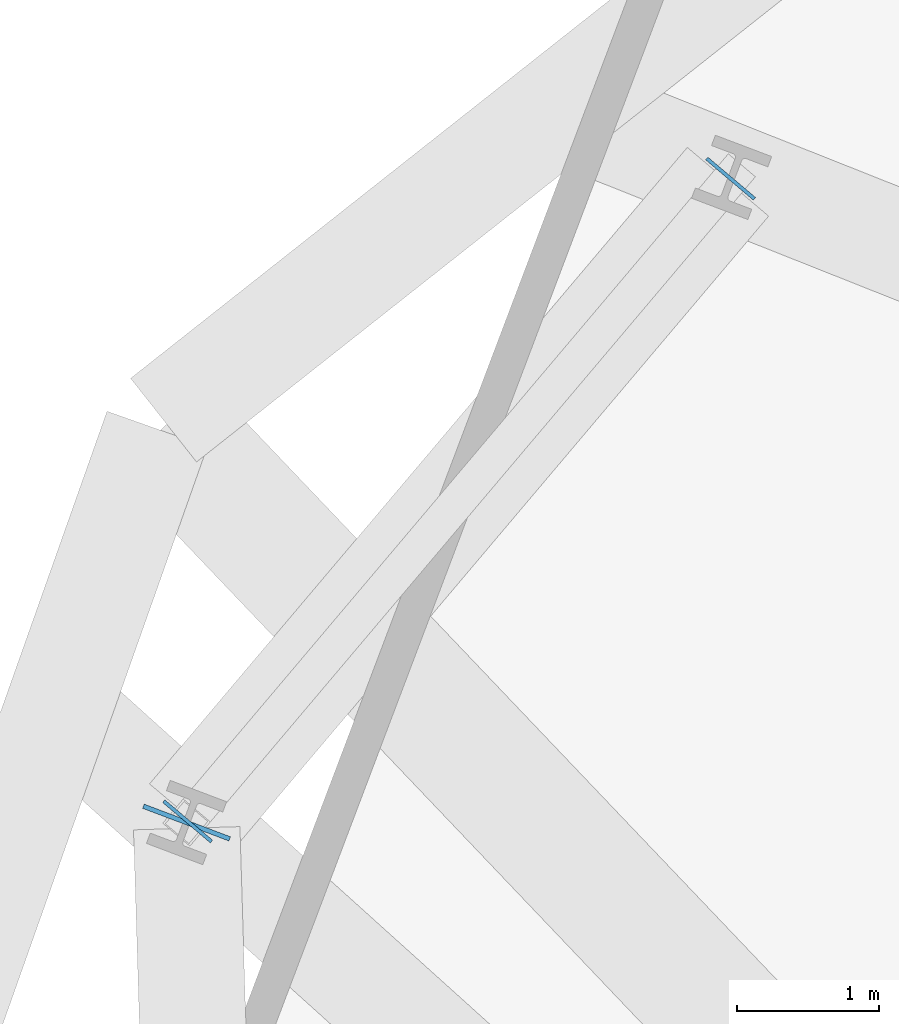
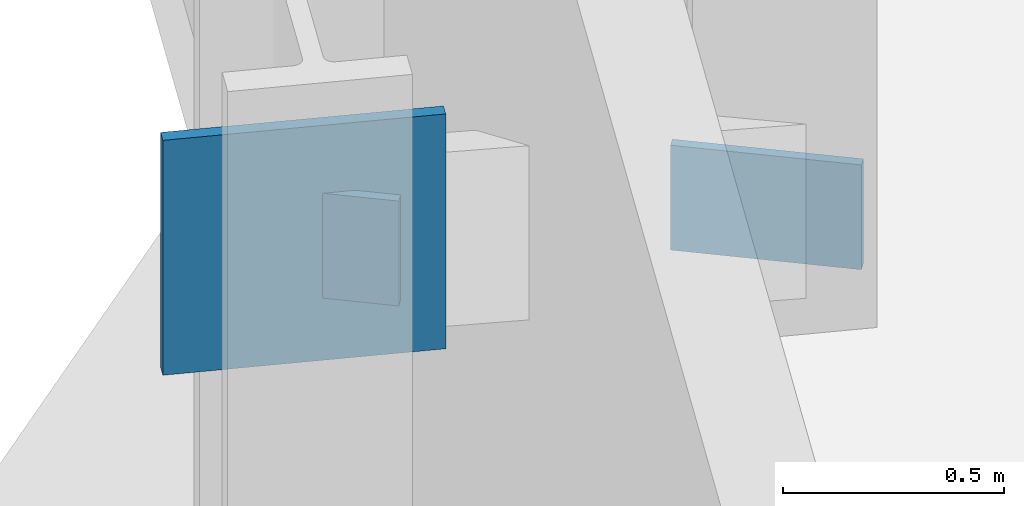
# One storey, part 4 of 11: 3 plates.
"""IFC4 building model written with IfcOpenShell, lengths in metres."""

from ifc_helpers import new_model, si_unit, direction, frame, origin, origin_2d, place, context, subcontext, project, spatial, rectangle, extrude, source, transform, mapped, material, layer, layer_set, type_object, element, save


model = new_model("IFC4")

# Units and contexts
model_context = context("Model", 3, precision=1e-05, world=origin(), true_north=direction((0.0, 1.0)))
body_context = subcontext(model_context, "Body", "Model", "MODEL_VIEW")
ifc_project = project(units=[si_unit("LENGTHUNIT", "METRE"), si_unit("AREAUNIT", "SQUARE_METRE"), si_unit("VOLUMEUNIT", "CUBIC_METRE"), si_unit("PLANEANGLEUNIT", "RADIAN"), si_unit("MASSUNIT", "GRAM", prefix="KILO")], contexts=[model_context])

# Site, building, storey
site_placement = place(None, origin())
site = spatial("IfcSite", under=ifc_project, at=site_placement, CompositionType="ELEMENT")
building_placement = place(site_placement, origin())
building = spatial("IfcBuilding", under=site, at=building_placement, Name="Varnelok Gate Tower", CompositionType="ELEMENT")
storey_placement = place(building_placement, frame((0.0, 0.0, 71.39990234375)))
storey = spatial("IfcBuildingStorey", under=building, at=storey_placement, Name="L17", CompositionType="ELEMENT", Elevation=71.39990234375)

# Plates
ifc_material = material(Name="Structural Steel ASTM A572 Grade 50", Category="steel")
ifc_layer_1 = layer(ifc_material, 0.02490234375)
ifc_layer_set_1 = layer_set([ifc_layer_1], Name="Structural Steel ASTM A572 Grade 50")
plate_type_1 = type_object("IfcPlateType", Name="PLT-ENDCAP-25", PredefinedType="SHEET", material=ifc_layer_set_1)
shared_shape_1 = source(origin(), body_context, "Body", "SweptSolid", [
    extrude(rectangle(XDim=0.02490234375, YDim=0.43994140625, at=origin_2d()), origin(), (0.0, 0.0, 1.0), 0.2900390625),
])
for number, where, z_axis, x_axis, name in (
    (1, (10.755859375, 46.963623046875, 0.062744140625), (0.0, 0.0, 1.0), (-0.645377699652, -0.763863616618, 0.0), "L17 hollow member sealed end plate 1"),
    (2, (6.930908203125, 42.43603515625, 4.04736328125), (0.0, 0.0, 1.0), (-0.645377699652, -0.763863616618, 0.0), "L17 hollow member sealed end plate 2"),
):
    element("IfcPlate", number, at=place(storey_placement, frame(where, z_axis=z_axis, x_axis=x_axis)), inside=storey, type_object=plate_type_1, Name=name, PredefinedType="SHEET", context=body_context, shape_type="MappedRepresentation", body=[
        mapped(shared_shape_1, transform((0.0, 0.0, 0.0), scale=1.0)),
    ])
ifc_layer_2 = layer(ifc_material, 0.031982421875)
ifc_layer_set_2 = layer_set([ifc_layer_2], Name="Structural Steel ASTM A572 Grade 50")
plate_type_2 = type_object("IfcPlateType", Name="PLT-GUSSET-32", PredefinedType="USERDEFINED", material=ifc_layer_set_2)
shared_shape_2 = source(origin(), body_context, "Body", "SweptSolid", [
    extrude(rectangle(XDim=0.64990234375, YDim=0.031982421875, at=origin_2d()), origin(), (0.0, 0.0, 1.0), 0.64990234375),
])
plate_placement = place(storey_placement, frame((6.92333984375, 42.427490234375, 3.875244140625), z_axis=(0.0, 0.0, 1.0), x_axis=(0.935221751401, -0.354062530786, 0.0)))
element("IfcPlate", 3, at=plate_placement, inside=storey, type_object=plate_type_2, Name="L17 Belt Truss Node Gusset Plate BN-2", ObjectType="GUSSET PLATE", PredefinedType="USERDEFINED", context=body_context, shape_type="MappedRepresentation", body=[
    mapped(shared_shape_2, transform((0.0, 0.0, 0.0), scale=1.0)),
])

save(model, "model.ifc")
